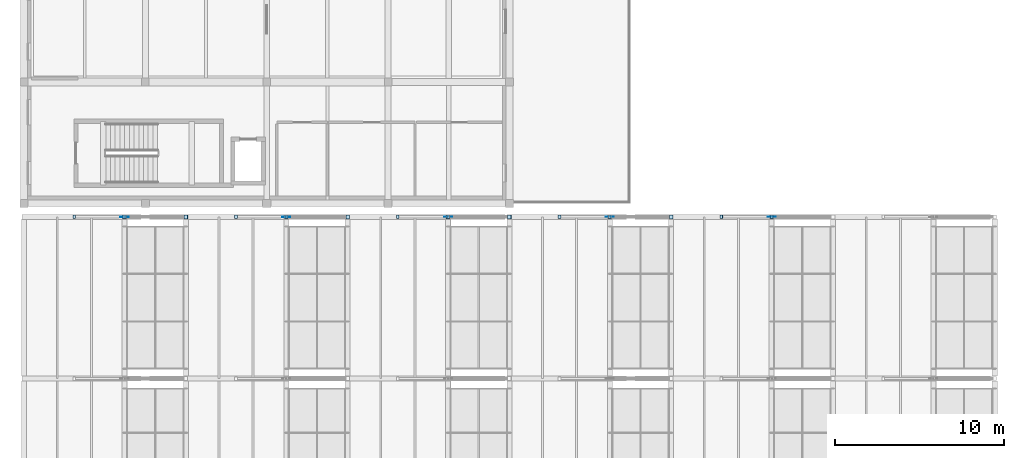
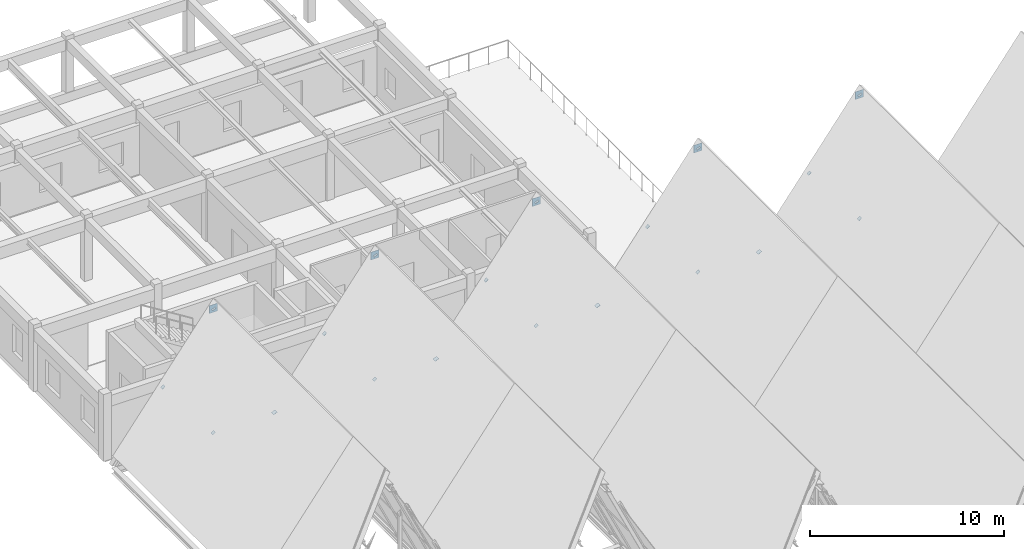
# One storey, part 75 of 99: 24 plates.
"""IFC4 building model written with IfcOpenShell, lengths in metres."""

from ifc_helpers import new_model, si_unit, direction, frame, origin, origin_2d, place, context, subcontext, project, spatial, rectangle, extrude, material, layer, layer_set, type_object, element, save


model = new_model("IFC4")

# Units and contexts
model_context = context("Model", 3, precision=1e-05, world=origin(), true_north=direction((0.0, 1.0)))
body_context = subcontext(model_context, "Body", "Model", "MODEL_VIEW")
ifc_project = project(units=[si_unit("LENGTHUNIT", "METRE"), si_unit("AREAUNIT", "SQUARE_METRE"), si_unit("VOLUMEUNIT", "CUBIC_METRE"), si_unit("PLANEANGLEUNIT", "RADIAN"), si_unit("MASSUNIT", "GRAM", prefix="KILO")], contexts=[model_context])

# Site, building, storey
site_placement = place(None, origin())
site = spatial("IfcSite", under=ifc_project, at=site_placement, CompositionType="ELEMENT")
building_placement = place(site_placement, origin())
building = spatial("IfcBuilding", under=site, at=building_placement, Name="Bramveld Media Centre", CompositionType="ELEMENT")
storey_placement = place(building_placement, frame((0.0, 0.0, 13.800048828125)))
storey = spatial("IfcBuildingStorey", under=building, at=storey_placement, Name="L03", CompositionType="ELEMENT", Elevation=13.800048828125)

# Plates
ifc_material_1 = material(Name="Steel S355J2", Category="steel")
ifc_layer_1 = layer(ifc_material_1, 0.010009765625)
ifc_layer_set_1 = layer_set([ifc_layer_1], Name="Steel S355J2")
plate_type_1 = type_object("IfcPlateType", Name="PLT-CAP-10", PredefinedType="USERDEFINED", material=ifc_layer_set_1)
plate_1_placement = place(storey_placement, frame((5.962890625, 38.39990234375, 7.7998046875), z_axis=(-0.422618287099, 0.0, 0.906307775212), x_axis=(0.0, -1.0, 0.0)))
element("IfcPlate", 1, at=plate_1_placement, inside=storey, type_object=plate_type_1, Name="Hollow section end cap plate CAP-TRUSS-V2-B01-F5-A", ObjectType="CAP PLATE", PredefinedType="USERDEFINED", context=body_context, shape_type="SweptSolid", body=[
    extrude(rectangle(XDim=0.239990234375, YDim=0.239990234375, at=origin_2d()), origin(), (0.0, 0.0, 1.0), 0.010009765625),
])
for number, where, z_axis, x_axis, name in (
    (2, (5.962890625, 38.39990234375, -0.000244140625), (0.607327610301, 0.0, -0.794451492394), (0.0, 1.0, 0.0), "Hollow section end cap plate CAP-TRUSS-V2-B01-F5-W0"),
    (3, (2.9814453125, 38.39990234375, 3.900146484375), (-0.607327610301, 0.0, 0.794451492394), (0.0, -1.0, 0.0), "Hollow section end cap plate CAP-TRUSS-V2-B01-F5-W1"),
    (4, (15.56298828125, 38.39990234375, -0.000244140625), (0.607327610301, 0.0, -0.794451492394), (0.0, 1.0, 0.0), "Hollow section end cap plate CAP-TRUSS-V2-B02-F5-W0"),
    (5, (12.581298828125, 38.39990234375, 3.900146484375), (-0.607327610301, 0.0, 0.794451492394), (0.0, -1.0, 0.0), "Hollow section end cap plate CAP-TRUSS-V2-B02-F5-W1"),
    (6, (25.162841796875, 38.39990234375, -0.000244140625), (0.607327610301, 0.0, -0.794451492394), (0.0, 1.0, 0.0), "Hollow section end cap plate CAP-TRUSS-V2-B03-F5-W0"),
    (7, (22.181396484375, 38.39990234375, 3.900146484375), (-0.607327610301, 0.0, 0.794451492394), (0.0, -1.0, 0.0), "Hollow section end cap plate CAP-TRUSS-V2-B03-F5-W1"),
):
    element("IfcPlate", number, at=place(storey_placement, frame(where, z_axis=z_axis, x_axis=x_axis)), inside=storey, type_object=plate_type_1, Name=name, ObjectType="CAP PLATE", PredefinedType="USERDEFINED", context=body_context, shape_type="SweptSolid", body=[
        extrude(rectangle(XDim=0.199951171875, YDim=0.199951171875, at=origin_2d()), origin(), (0.0, 0.0, 1.0), 0.010009765625),
    ])
plate_2_placement = place(storey_placement, frame((38.39990234375, 38.39990234375, 0.0), z_axis=(0.422618287099, 0.0, -0.906307775212), x_axis=(0.0, 1.0, 0.0)))
element("IfcPlate", 8, at=plate_2_placement, inside=storey, type_object=plate_type_1, Name="Hollow section end cap plate CAP-TRUSS-V2-B04-F5-B", ObjectType="CAP PLATE", PredefinedType="USERDEFINED", context=body_context, shape_type="SweptSolid", body=[
    extrude(rectangle(XDim=0.239990234375, YDim=0.239990234375, at=origin_2d()), origin(), (0.0, 0.0, 1.0), 0.010009765625),
])
for number, where, z_axis, x_axis, name in (
    (9, (34.762939453125, 38.39990234375, -0.000244140625), (0.607327610301, 0.0, -0.794451492394), (0.0, 1.0, 0.0), "Hollow section end cap plate CAP-TRUSS-V2-B04-F5-W0"),
    (10, (31.78125, 38.39990234375, 3.900146484375), (-0.607327610301, 0.0, 0.794451492394), (0.0, -1.0, 0.0), "Hollow section end cap plate CAP-TRUSS-V2-B04-F5-W1"),
):
    element("IfcPlate", number, at=place(storey_placement, frame(where, z_axis=z_axis, x_axis=x_axis)), inside=storey, type_object=plate_type_1, Name=name, ObjectType="CAP PLATE", PredefinedType="USERDEFINED", context=body_context, shape_type="SweptSolid", body=[
        extrude(rectangle(XDim=0.199951171875, YDim=0.199951171875, at=origin_2d()), origin(), (0.0, 0.0, 1.0), 0.010009765625),
    ])
plate_3_placement = place(storey_placement, frame((44.36279296875, 38.39990234375, 7.7998046875), z_axis=(-0.422618287099, 0.0, 0.906307775212), x_axis=(0.0, -1.0, 0.0)))
element("IfcPlate", 11, at=plate_3_placement, inside=storey, type_object=plate_type_1, Name="Hollow section end cap plate CAP-TRUSS-V2-B05-F5-A", ObjectType="CAP PLATE", PredefinedType="USERDEFINED", context=body_context, shape_type="SweptSolid", body=[
    extrude(rectangle(XDim=0.239990234375, YDim=0.239990234375, at=origin_2d()), origin(), (0.0, 0.0, 1.0), 0.010009765625),
])
for number, where, z_axis, x_axis, name in (
    (12, (44.36279296875, 38.39990234375, -0.000244140625), (0.607327610301, 0.0, -0.794451492394), (0.0, 1.0, 0.0), "Hollow section end cap plate CAP-TRUSS-V2-B05-F5-W0"),
    (13, (41.38134765625, 38.39990234375, 3.900146484375), (-0.607327610301, 0.0, 0.794451492394), (0.0, -1.0, 0.0), "Hollow section end cap plate CAP-TRUSS-V2-B05-F5-W1"),
):
    element("IfcPlate", number, at=place(storey_placement, frame(where, z_axis=z_axis, x_axis=x_axis)), inside=storey, type_object=plate_type_1, Name=name, ObjectType="CAP PLATE", PredefinedType="USERDEFINED", context=body_context, shape_type="SweptSolid", body=[
        extrude(rectangle(XDim=0.199951171875, YDim=0.199951171875, at=origin_2d()), origin(), (0.0, 0.0, 1.0), 0.010009765625),
    ])
ifc_material_2 = material(Name="Steel S355J2", Category="steel")
ifc_layer_2 = layer(ifc_material_2, 0.013916015625)
ifc_layer_set_2 = layer_set([ifc_layer_2], Name="Steel S355J2")
plate_type_2 = type_object("IfcPlateType", Name="PLT-CAP-14", PredefinedType="USERDEFINED", material=ifc_layer_set_2)
for number, where, z_axis, x_axis, name in (
    (14, (9.60009765625, 38.39990234375, 0.0), (0.422618287099, 0.0, -0.906307775212), (0.0, 1.0, 0.0), "Hollow section end cap plate CAP-TRUSS-V2-B01-F5-B"),
    (15, (15.562744140625, 38.39990234375, 7.7998046875), (-0.422618287099, 0.0, 0.906307775212), (0.0, -1.0, 0.0), "Hollow section end cap plate CAP-TRUSS-V2-B02-F5-A"),
):
    element("IfcPlate", number, at=place(storey_placement, frame(where, z_axis=z_axis, x_axis=x_axis)), inside=storey, type_object=plate_type_2, Name=name, ObjectType="CAP PLATE", PredefinedType="USERDEFINED", context=body_context, shape_type="SweptSolid", body=[
        extrude(rectangle(XDim=0.239990234375, YDim=0.239990234375, at=origin_2d()), origin(), (0.0, 0.0, 1.0), 0.013916015625),
    ])
ifc_material_3 = material(Name="Steel S355J2", Category="steel")
ifc_layer_3 = layer(ifc_material_3, 0.01806640625)
ifc_layer_set_3 = layer_set([ifc_layer_3], Name="Steel S355J2")
plate_type_3 = type_object("IfcPlateType", Name="PLT-CAP-18", PredefinedType="USERDEFINED", material=ifc_layer_set_3)
for number, where, z_axis, x_axis, name in (
    (16, (19.199951171875, 38.39990234375, 0.0), (0.422618287099, 0.0, -0.906307775212), (0.0, 1.0, 0.0), "Hollow section end cap plate CAP-TRUSS-V2-B02-F5-B"),
    (17, (25.162841796875, 38.39990234375, 7.7998046875), (-0.422618287099, 0.0, 0.906307775212), (0.0, -1.0, 0.0), "Hollow section end cap plate CAP-TRUSS-V2-B03-F5-A"),
):
    element("IfcPlate", number, at=place(storey_placement, frame(where, z_axis=z_axis, x_axis=x_axis)), inside=storey, type_object=plate_type_3, Name=name, ObjectType="CAP PLATE", PredefinedType="USERDEFINED", context=body_context, shape_type="SweptSolid", body=[
        extrude(rectangle(XDim=0.239990234375, YDim=0.239990234375, at=origin_2d()), origin(), (0.0, 0.0, 1.0), 0.01806640625),
    ])
ifc_material_4 = material(Name="Steel S355J2", Category="steel")
ifc_layer_4 = layer(ifc_material_4, 0.02197265625)
ifc_layer_set_4 = layer_set([ifc_layer_4], Name="Steel S355J2")
plate_type_4 = type_object("IfcPlateType", Name="PLT-CAP-22", PredefinedType="USERDEFINED", material=ifc_layer_set_4)
for number, where, z_axis, x_axis, name in (
    (18, (28.800048828125, 38.39990234375, 0.0), (0.422618287099, 0.0, -0.906307775212), (0.0, 1.0, 0.0), "Hollow section end cap plate CAP-TRUSS-V2-B03-F5-B"),
    (19, (34.762939453125, 38.39990234375, 7.800048828125), (-0.422618287099, 0.0, 0.906307775212), (0.0, -1.0, 0.0), "Hollow section end cap plate CAP-TRUSS-V2-B04-F5-A"),
):
    element("IfcPlate", number, at=place(storey_placement, frame(where, z_axis=z_axis, x_axis=x_axis)), inside=storey, type_object=plate_type_4, Name=name, ObjectType="CAP PLATE", PredefinedType="USERDEFINED", context=body_context, shape_type="SweptSolid", body=[
        extrude(rectangle(XDim=0.239990234375, YDim=0.239990234375, at=origin_2d()), origin(), (0.0, 0.0, 1.0), 0.02197265625),
    ])
ifc_material_5 = material(Name="Steel S355J2", Category="steel")
ifc_layer_5 = layer(ifc_material_5, 0.011962890625)
ifc_layer_set_5 = layer_set([ifc_layer_5], Name="Steel S355J2")
plate_type_5 = type_object("IfcPlateType", Name="PLT-GUSSET-12", PredefinedType="USERDEFINED", material=ifc_layer_set_5)
plate_4_placement = place(storey_placement, frame((44.36279296875, 38.39990234375, 7.56005859375), z_axis=(0.0, 0.0, 1.0), x_axis=(1.0, 0.0, 0.0)))
element("IfcPlate", 20, at=plate_4_placement, inside=storey, type_object=plate_type_5, Name="TRUSS-V2-B05-F5 apex node gusset plate", ObjectType="GUSSET PLATE", PredefinedType="USERDEFINED", context=body_context, shape_type="SweptSolid", body=[
    extrude(rectangle(XDim=0.47998046875, YDim=0.011962890625, at=origin_2d()), origin(), (0.0, 0.0, 1.0), 0.47998046875),
])
ifc_material_6 = material(Name="Steel S355J2", Category="steel")
ifc_layer_6 = layer(ifc_material_6, 0.01611328125)
ifc_layer_set_6 = layer_set([ifc_layer_6], Name="Steel S355J2")
plate_type_6 = type_object("IfcPlateType", Name="PLT-GUSSET-16", PredefinedType="USERDEFINED", material=ifc_layer_set_6)
plate_5_placement = place(storey_placement, frame((34.7626953125, 38.39990234375, 7.56005859375), z_axis=(0.0, 0.0, 1.0), x_axis=(1.0, 0.0, 0.0)))
element("IfcPlate", 21, at=plate_5_placement, inside=storey, type_object=plate_type_6, Name="TRUSS-V2-B04-F5 apex node gusset plate", ObjectType="GUSSET PLATE", PredefinedType="USERDEFINED", context=body_context, shape_type="SweptSolid", body=[
    extrude(rectangle(XDim=0.47998046875, YDim=0.01611328125, at=origin_2d()), origin(), (0.0, 0.0, 1.0), 0.47998046875),
])
ifc_material_7 = material(Name="Steel S355J2", Category="steel")
ifc_layer_7 = layer(ifc_material_7, 0.02001953125)
ifc_layer_set_7 = layer_set([ifc_layer_7], Name="Steel S355J2")
plate_type_7 = type_object("IfcPlateType", Name="PLT-GUSSET-20", PredefinedType="USERDEFINED", material=ifc_layer_set_7)
plate_6_placement = place(storey_placement, frame((25.162841796875, 38.39990234375, 7.56005859375), z_axis=(0.0, 0.0, 1.0), x_axis=(1.0, 0.0, 0.0)))
element("IfcPlate", 22, at=plate_6_placement, inside=storey, type_object=plate_type_7, Name="TRUSS-V2-B03-F5 apex node gusset plate", ObjectType="GUSSET PLATE", PredefinedType="USERDEFINED", context=body_context, shape_type="SweptSolid", body=[
    extrude(rectangle(XDim=0.47998046875, YDim=0.02001953125, at=origin_2d()), origin(), (0.0, 0.0, 1.0), 0.47998046875),
])
ifc_material_8 = material(Name="Steel S355J2", Category="steel")
ifc_layer_8 = layer(ifc_material_8, 0.02392578125)
ifc_layer_set_8 = layer_set([ifc_layer_8], Name="Steel S355J2")
plate_type_8 = type_object("IfcPlateType", Name="PLT-GUSSET-24", PredefinedType="USERDEFINED", material=ifc_layer_set_8)
plate_7_placement = place(storey_placement, frame((15.562744140625, 38.39990234375, 7.56005859375), z_axis=(0.0, 0.0, 1.0), x_axis=(1.0, 0.0, 0.0)))
element("IfcPlate", 23, at=plate_7_placement, inside=storey, type_object=plate_type_8, Name="TRUSS-V2-B02-F5 apex node gusset plate", ObjectType="GUSSET PLATE", PredefinedType="USERDEFINED", context=body_context, shape_type="SweptSolid", body=[
    extrude(rectangle(XDim=0.47998046875, YDim=0.02392578125, at=origin_2d()), origin(), (0.0, 0.0, 1.0), 0.47998046875),
])
ifc_material_9 = material(Name="Steel S355J2", Category="steel")
ifc_layer_9 = layer(ifc_material_9, 0.028076171875)
ifc_layer_set_9 = layer_set([ifc_layer_9], Name="Steel S355J2")
plate_type_9 = type_object("IfcPlateType", Name="PLT-GUSSET-28", PredefinedType="USERDEFINED", material=ifc_layer_set_9)
plate_8_placement = place(storey_placement, frame((5.962890625, 38.39990234375, 7.56005859375), z_axis=(0.0, 0.0, 1.0), x_axis=(1.0, 0.0, 0.0)))
element("IfcPlate", 24, at=plate_8_placement, inside=storey, type_object=plate_type_9, Name="TRUSS-V2-B01-F5 apex node gusset plate", ObjectType="GUSSET PLATE", PredefinedType="USERDEFINED", context=body_context, shape_type="SweptSolid", body=[
    extrude(rectangle(XDim=0.47998046875, YDim=0.028076171875, at=origin_2d()), origin(), (0.0, 0.0, 1.0), 0.47998046875),
])

save(model, "model.ifc")
